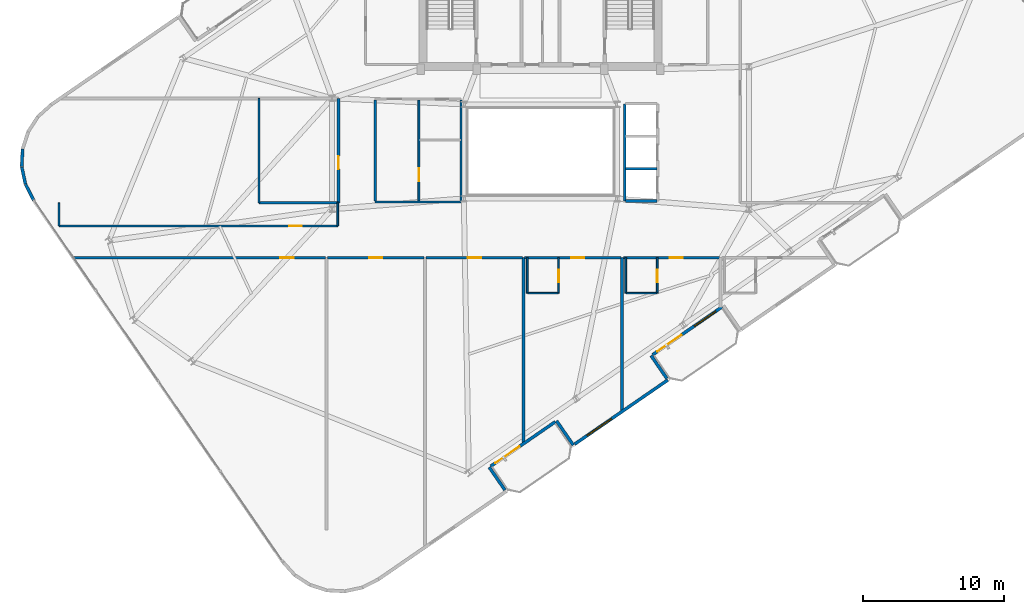
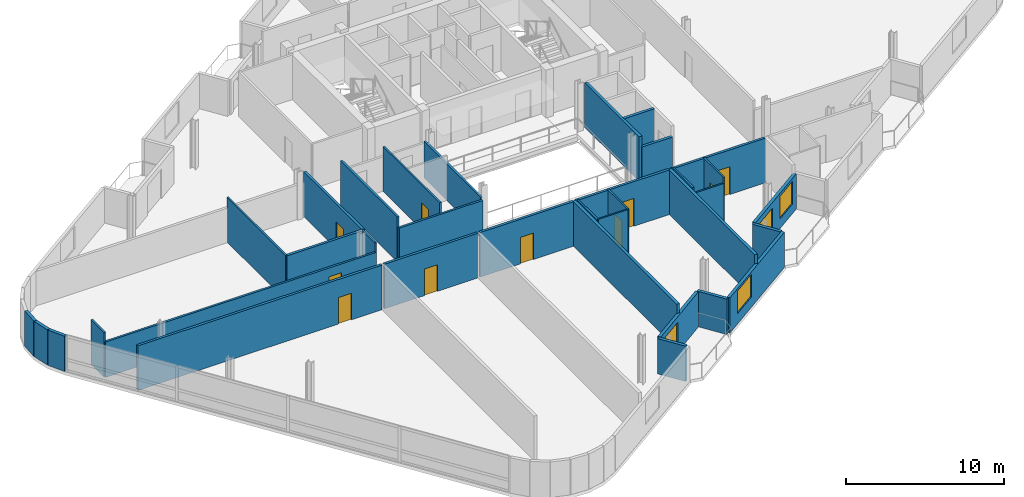
# One storey, part 14 of 21: 35 walls, 12 doors, 2 windows, 14 openings.
"""IFC4 building model written with IfcOpenShell, lengths in metres."""

from ifc_helpers import new_model, si_unit, direction, frame, frame_2d, origin, place, context, subcontext, project, spatial, rectangle, extrude, material, layer, layer_set, type_object, element, fill, save


model = new_model("IFC4")

# Units and contexts
model_context = context("Model", 3, precision=1e-05, world=origin(), true_north=direction((0.0, 1.0)))
body_context = subcontext(model_context, "Body", "Model", "MODEL_VIEW")
ifc_project = project(units=[si_unit("LENGTHUNIT", "METRE"), si_unit("AREAUNIT", "SQUARE_METRE"), si_unit("VOLUMEUNIT", "CUBIC_METRE"), si_unit("PLANEANGLEUNIT", "RADIAN"), si_unit("MASSUNIT", "GRAM", prefix="KILO")], contexts=[model_context])

# Site, building, storey
site_placement = place(None, origin())
site = spatial("IfcSite", under=ifc_project, at=site_placement, CompositionType="ELEMENT")
building_placement = place(site_placement, origin())
building = spatial("IfcBuilding", under=site, at=building_placement, Name="Varnelok Gate Tower", CompositionType="ELEMENT")
storey_placement = place(building_placement, frame((0.0, 0.0, 261.89990234375)))
storey = spatial("IfcBuildingStorey", under=building, at=storey_placement, Name="L67", CompositionType="ELEMENT", Elevation=261.89990234375)

# Wall, opening, door
ifc_material_1 = material(Name="Concrete C45/55", Category="concrete")
ifc_layer_1 = layer(ifc_material_1, 0.219970703125)
ifc_layer_set_1 = layer_set([ifc_layer_1], Name="Concrete C45/55")
wall_type_1 = type_object("IfcWallType", Name="EW-BALC-220", PredefinedType="SOLIDWALL", material=ifc_layer_set_1)
wall_1_placement = place(storey_placement, frame((40.243896484375, 3.6884765625, 0.0), z_axis=(0.0, 0.0, 1.0), x_axis=(-0.823541290762, -0.567256328665, 0.0)))
wall_1 = element("IfcWall", 1, at=wall_1_placement, inside=storey, type_object=wall_type_1, Name="L67 South Terrace Envelope Wall 1", PredefinedType="SOLIDWALL", context=body_context, shape_type="SweptSolid", body=[
    extrude(rectangle(XDim=5.567138671875, YDim=0.219970703125, at=frame_2d((2.78369140625, 0.0))), origin(), (0.0, 0.0, 1.0), 2.72998046875),
])
opening_1_placement = place(wall_1_placement, frame((3.06689453125, 0.0, 0.0)))
opening_1 = element("IfcOpeningElement", 2, at=opening_1_placement, cuts=wall_1, Name="Opening BD-2", PredefinedType="OPENING", context=body_context, shape_type="SweptSolid", body=[
    extrude(rectangle(XDim=2.10009765625, YDim=2.300048828125, at=frame_2d((1.050048828125, 1.14990234375))), frame((0.0, 0.119873046875, 0.0), z_axis=(0.0, -1.0, 0.0), x_axis=(1.0, 0.0, 0.0)), (0.0, 0.0, 1.0), 0.239990234375),
])
ifc_material_2 = material(Name="Anodized Aluminum Alloy 6063-T6", Category="aluminium")
door_type_1 = type_object("IfcDoorType", Name="DR-EXT-SLID2100", OperationType="SLIDING_TO_LEFT", PredefinedType="DOOR", material=ifc_material_2)
door_1_placement = place(opening_1_placement, origin())
door_1 = element("IfcDoor", 3, at=door_1_placement, inside=storey, type_object=door_type_1, Name="L67 South Balcony Glazed Door 1", OperationType="SLIDING_TO_LEFT", OverallHeight=2.300048828125, OverallWidth=2.10009765625, PredefinedType="DOOR", context=body_context, shape_type="SweptSolid", body=[
    extrude(rectangle(XDim=2.10009765625, YDim=2.300048828125, at=frame_2d((1.050048828125, 1.14990234375))), frame((0.0, 0.02490234375, 0.0), z_axis=(0.0, -1.0, 0.0), x_axis=(1.0, 0.0, 0.0)), (0.0, 0.0, 1.0), 0.050048828125),
])
fill(opening_1, door_1)

# Wall, openings, door, window
wall_2_placement = place(storey_placement, frame((52.102783203125, 11.85693359375, 0.0), z_axis=(0.0, 0.0, 1.0), x_axis=(-0.823534636215, -0.567265989598, 0.0)))
wall_2 = element("IfcWall", 4, at=wall_2_placement, inside=storey, type_object=wall_type_1, Name="L67 South Terrace Envelope Wall 2", PredefinedType="SOLIDWALL", context=body_context, shape_type="SweptSolid", body=[
    extrude(rectangle(XDim=6.0, YDim=0.219970703125, at=frame_2d((3.0, 0.0))), origin(), (0.0, 0.0, 1.0), 2.72998046875),
])
opening_2_placement = place(wall_2_placement, frame((3.5, 0.0, 0.0)))
opening_2 = element("IfcOpeningElement", 5, at=opening_2_placement, cuts=wall_2, Name="Opening BD-2", PredefinedType="OPENING", context=body_context, shape_type="SweptSolid", body=[
    extrude(rectangle(XDim=2.10009765625, YDim=2.300048828125, at=frame_2d((1.050048828125, 1.14990234375))), frame((0.0, 0.119873046875, 0.0), z_axis=(0.0, -1.0, 0.0), x_axis=(1.0, 0.0, 0.0)), (0.0, 0.0, 1.0), 0.239990234375),
])
opening_3_placement = place(wall_2_placement, frame((0.550048828125, 0.0, 0.75)))
opening_3 = element("IfcOpeningElement", 6, at=opening_3_placement, cuts=wall_2, Name="Opening WN5", PredefinedType="OPENING", context=body_context, shape_type="SweptSolid", body=[
    extrude(rectangle(XDim=1.85009765625, YDim=1.75, at=frame_2d((0.925048828125, 0.875))), frame((0.0, 0.119873046875, 0.0), z_axis=(0.0, -1.0, 0.0), x_axis=(1.0, 0.0, 0.0)), (0.0, 0.0, 1.0), 0.239990234375),
])
door_2_placement = place(opening_2_placement, origin())
door_2 = element("IfcDoor", 7, at=door_2_placement, inside=storey, type_object=door_type_1, Name="L67 South Balcony Glazed Door 2", OperationType="SLIDING_TO_LEFT", OverallHeight=2.300048828125, OverallWidth=2.10009765625, PredefinedType="DOOR", context=body_context, shape_type="SweptSolid", body=[
    extrude(rectangle(XDim=2.10009765625, YDim=2.300048828125, at=frame_2d((1.050048828125, 1.14990234375))), frame((0.0, 0.02490234375, 0.0), z_axis=(0.0, -1.0, 0.0), x_axis=(1.0, 0.0, 0.0)), (0.0, 0.0, 1.0), 0.050048828125),
])
fill(opening_2, door_2)
ifc_material_3 = material(Name="Low-E Laminated Double Glazing IGU", Category="glass")
window_type_1 = type_object("IfcWindowType", Name="WN-RES-1850", PartitioningType="SINGLE_PANEL", PredefinedType="WINDOW", material=ifc_material_3)
window_1_placement = place(opening_3_placement, origin())
window_1 = element("IfcWindow", 8, at=window_1_placement, inside=storey, type_object=window_type_1, Name="L67 South Vision Window 2.1", OverallHeight=1.75, OverallWidth=1.85009765625, PartitioningType="SINGLE_PANEL", PredefinedType="WINDOW", context=body_context, shape_type="SweptSolid", body=[
    extrude(rectangle(XDim=1.85009765625, YDim=1.75, at=frame_2d((0.925048828125, 0.875))), frame((0.0, 0.030029296875, 0.0), z_axis=(0.0, -1.0, 0.0), x_axis=(1.0, 0.0, 0.0)), (0.0, 0.0, 1.0), 0.06005859375),
])
fill(opening_3, window_1)

# Walls
wall_3_placement = place(storey_placement, frame((36.675048828125, -1.156005859375, 0.0), z_axis=(0.0, 0.0, 1.0), x_axis=(-0.567215821234, 0.823569190865, 0.0)))
element("IfcWall", 9, at=wall_3_placement, inside=storey, type_object=wall_type_1, Name="L67 Perimeter Facade Closure Wall 8", PredefinedType="SOLIDWALL", context=body_context, shape_type="SweptSolid", body=[
    extrude(rectangle(XDim=1.97509765625, YDim=0.219970703125, at=frame_2d((0.987548828125, 0.0))), origin(), (0.0, 0.0, 1.0), 2.72998046875),
])
wall_4_placement = place(storey_placement, frame((40.3369140625, 3.7646484375, 0.0), z_axis=(0.0, 0.0, 1.0), x_axis=(0.567352541689, -0.823475010816, 0.0)))
element("IfcWall", 10, at=wall_4_placement, inside=storey, type_object=wall_type_1, Name="L67 Perimeter Facade Closure Wall 9", PredefinedType="SOLIDWALL", context=body_context, shape_type="SweptSolid", body=[
    extrude(rectangle(XDim=2.099853515625, YDim=0.219970703125, at=frame_2d((1.0498046875, 0.0))), origin(), (0.0, 0.0, 1.0), 2.72998046875),
])

# Wall, opening, window
wall_5_placement = place(storey_placement, frame((41.631103515625, 2.106201171875, 0.0), z_axis=(0.0, 0.0, 1.0), x_axis=(0.823530942962, 0.56727135128, 0.0)))
wall_5 = element("IfcWall", 11, at=wall_5_placement, inside=storey, type_object=wall_type_1, Name="L67 Perimeter Facade Closure Wall 10", PredefinedType="SOLIDWALL", context=body_context, shape_type="SweptSolid", body=[
    extrude(rectangle(XDim=8.03515625, YDim=0.219970703125, at=frame_2d((4.017578125, 0.0))), origin(), (0.0, 0.0, 1.0), 2.72998046875),
])
opening_4_placement = place(wall_5_placement, frame((1.068359375, 0.0, 0.800048828125)))
opening_4 = element("IfcOpeningElement", 12, at=opening_4_placement, cuts=wall_5, Name="Opening WN4", PredefinedType="OPENING", context=body_context, shape_type="SweptSolid", body=[
    extrude(rectangle(XDim=2.10009765625, YDim=1.75, at=frame_2d((1.050048828125, 0.875))), frame((0.0, 0.119873046875, 0.0), z_axis=(0.0, -1.0, 0.0), x_axis=(1.0, 0.0, 0.0)), (0.0, 0.0, 1.0), 0.239990234375),
])
window_type_2 = type_object("IfcWindowType", Name="WN-SUI-2100", PartitioningType="SINGLE_PANEL", PredefinedType="WINDOW", material=ifc_material_3)
window_2_placement = place(opening_4_placement, origin())
window_2 = element("IfcWindow", 13, at=window_2_placement, inside=storey, type_object=window_type_2, Name="L67 Perimeter Vision Window 10", OverallHeight=1.75, OverallWidth=2.10009765625, PartitioningType="SINGLE_PANEL", PredefinedType="WINDOW", context=body_context, shape_type="SweptSolid", body=[
    extrude(rectangle(XDim=2.10009765625, YDim=1.75, at=frame_2d((1.050048828125, 0.875))), frame((0.0, 0.030029296875, 0.0), z_axis=(0.0, -1.0, 0.0), x_axis=(1.0, 0.0, 0.0)), (0.0, 0.0, 1.0), 0.06005859375),
])
fill(opening_4, window_2)

# Walls
wall_6_placement = place(storey_placement, frame((48.17724609375, 6.76708984375, 0.0), z_axis=(0.0, 0.0, 1.0), x_axis=(-0.567273565974, 0.823529417415, 0.0)))
element("IfcWall", 14, at=wall_6_placement, inside=storey, type_object=wall_type_1, Name="L67 Perimeter Facade Closure Wall 11", PredefinedType="SOLIDWALL", context=body_context, shape_type="SweptSolid", body=[
    extrude(rectangle(XDim=1.97509765625, YDim=0.219970703125, at=frame_2d((0.987548828125, 0.0))), origin(), (0.0, 0.0, 1.0), 2.72998046875),
])
wall_7_placement = place(storey_placement, frame((2.409912109375, 23.06591796875, 0.0), z_axis=(0.0, 0.0, 1.0), x_axis=(-0.051234756022, -0.998686637427, 0.0)))
element("IfcWall", 15, at=wall_7_placement, inside=storey, type_object=wall_type_1, Name="L67 Perimeter Facade Closure Wall 42", PredefinedType="SOLIDWALL", context=body_context, shape_type="SweptSolid", body=[
    extrude(rectangle(XDim=1.24853515625, YDim=0.219970703125, at=frame_2d((0.624267578125, 0.0))), origin(), (0.0, 0.0, 1.0), 2.72998046875),
])
for number, where, z_axis, x_axis, name in (
    (16, (2.35107421875, 21.794677734375, 0.0), (0.0, 0.0, 1.0), (0.208994994656, -0.977916710262, 0.0), "L67 Perimeter Facade Closure Wall 43"),
    (17, (2.623291015625, 20.55126953125, 0.0), (0.0, 0.0, 1.0), (0.454938817534, -0.890522696118, 0.0), "L67 Perimeter Facade Closure Wall 44"),
):
    element("IfcWall", number, at=place(storey_placement, frame(where, z_axis=z_axis, x_axis=x_axis)), inside=storey, type_object=wall_type_1, Name=name, PredefinedType="SOLIDWALL", context=body_context, shape_type="SweptSolid", body=[
        extrude(rectangle(XDim=1.248779296875, YDim=0.219970703125, at=frame_2d((0.62451171875, 0.0))), origin(), (0.0, 0.0, 1.0), 2.72998046875),
    ])

# Wall, opening, door
ifc_material_4 = material(Name="Gypsum Plasterboard Acoustic Partition", Category="gypsum")
ifc_layer_2 = layer(ifc_material_4, 0.179931640625)
ifc_layer_set_2 = layer_set([ifc_layer_2], Name="Gypsum Plasterboard Acoustic Partition")
wall_type_2 = type_object("IfcWallType", Name="PW-CORR-180", PredefinedType="PARTITIONING", material=ifc_layer_set_2)
wall_8_placement = place(storey_placement, frame((6.071044921875, 15.35009765625, 0.0), z_axis=(0.0, 0.0, 1.0), x_axis=(1.0, 0.0, 0.0)))
wall_8 = element("IfcWall", 18, at=wall_8_placement, inside=storey, type_object=wall_type_2, Name="Interior Partition", PredefinedType="PARTITIONING", context=body_context, shape_type="SweptSolid", body=[
    extrude(rectangle(XDim=17.848876953125, YDim=0.179931640625, at=frame_2d((8.92431640625, 0.0))), origin(), (0.0, 0.0, 1.0), 3.4501953125),
])
opening_5_placement = place(wall_8_placement, frame((14.65380859375, 0.0, 0.0)))
opening_5 = element("IfcOpeningElement", 19, at=opening_5_placement, cuts=wall_8, Name="Opening D-I2", PredefinedType="OPENING", context=body_context, shape_type="SweptSolid", body=[
    extrude(rectangle(XDim=0.949951171875, YDim=2.050048828125, at=frame_2d((0.47509765625, 1.02490234375))), frame((0.0, 0.099853515625, 0.0), z_axis=(0.0, -1.0, 0.0), x_axis=(1.0, 0.0, 0.0)), (0.0, 0.0, 1.0), 0.199951171875),
])
ifc_material_5 = material(Name="Engineered Hardwood Timber", Category="wood")
door_type_2 = type_object("IfcDoorType", Name="DR-INT-950", OperationType="NOTDEFINED", PredefinedType="DOOR", material=ifc_material_5)
door_3_placement = place(opening_5_placement, origin())
door_3 = element("IfcDoor", 20, at=door_3_placement, inside=storey, type_object=door_type_2, Name="L67 Sky Fine-Dining Restaurant Door", OperationType="SINGLE_SWING_LEFT", OverallHeight=2.050048828125, OverallWidth=0.949951171875, PredefinedType="DOOR", context=body_context, shape_type="SweptSolid", body=[
    extrude(rectangle(XDim=0.949951171875, YDim=2.050048828125, at=frame_2d((0.47509765625, 1.02490234375))), frame((0.0, 0.02490234375, 0.0), z_axis=(0.0, -1.0, 0.0), x_axis=(1.0, 0.0, 0.0)), (0.0, 0.0, 1.0), 0.050048828125),
])
fill(opening_5, door_3)

wall_9_placement = place(storey_placement, frame((24.080078125, 15.35009765625, 0.0), z_axis=(0.0, 0.0, 1.0), x_axis=(1.0, 0.0, 0.0)))
wall_9 = element("IfcWall", 21, at=wall_9_placement, inside=storey, type_object=wall_type_2, Name="Interior Partition", PredefinedType="PARTITIONING", context=body_context, shape_type="SweptSolid", body=[
    extrude(rectangle(XDim=6.83984375, YDim=0.179931640625, at=frame_2d((3.419921875, 0.0))), origin(), (0.0, 0.0, 1.0), 3.4501953125),
])
opening_6_placement = place(wall_9_placement, frame((2.945068359375, 0.0, 0.0)))
opening_6 = element("IfcOpeningElement", 22, at=opening_6_placement, cuts=wall_9, Name="Opening D-I2", PredefinedType="OPENING", context=body_context, shape_type="SweptSolid", body=[
    extrude(rectangle(XDim=0.949951171875, YDim=2.050048828125, at=frame_2d((0.47509765625, 1.02490234375))), frame((0.0, 0.099853515625, 0.0), z_axis=(0.0, -1.0, 0.0), x_axis=(1.0, 0.0, 0.0)), (0.0, 0.0, 1.0), 0.199951171875),
])
door_4_placement = place(opening_6_placement, origin())
door_4 = element("IfcDoor", 23, at=door_4_placement, inside=storey, type_object=door_type_2, Name="L67 Sommelier Tasting Cellar Door", OperationType="SINGLE_SWING_LEFT", OverallHeight=2.050048828125, OverallWidth=0.949951171875, PredefinedType="DOOR", context=body_context, shape_type="SweptSolid", body=[
    extrude(rectangle(XDim=0.949951171875, YDim=2.050048828125, at=frame_2d((0.47509765625, 1.02490234375))), frame((0.0, 0.02490234375, 0.0), z_axis=(0.0, -1.0, 0.0), x_axis=(1.0, 0.0, 0.0)), (0.0, 0.0, 1.0), 0.050048828125),
])
fill(opening_6, door_4)

wall_10_placement = place(storey_placement, frame((31.080078125, 15.35009765625, 0.0), z_axis=(0.0, 0.0, 1.0), x_axis=(1.0, 0.0, 0.0)))
wall_10 = element("IfcWall", 24, at=wall_10_placement, inside=storey, type_object=wall_type_2, Name="Interior Partition", PredefinedType="PARTITIONING", context=body_context, shape_type="SweptSolid", body=[
    extrude(rectangle(XDim=6.83984375, YDim=0.179931640625, at=frame_2d((3.419921875, 0.0))), origin(), (0.0, 0.0, 1.0), 3.4501953125),
])
opening_7_placement = place(wall_10_placement, frame((2.945068359375, 0.0, 0.0)))
opening_7 = element("IfcOpeningElement", 25, at=opening_7_placement, cuts=wall_10, Name="Opening D-I2", PredefinedType="OPENING", context=body_context, shape_type="SweptSolid", body=[
    extrude(rectangle(XDim=0.949951171875, YDim=2.050048828125, at=frame_2d((0.47509765625, 1.02490234375))), frame((0.0, 0.099853515625, 0.0), z_axis=(0.0, -1.0, 0.0), x_axis=(1.0, 0.0, 0.0)), (0.0, 0.0, 1.0), 0.199951171875),
])
door_5_placement = place(opening_7_placement, origin())
door_5 = element("IfcDoor", 26, at=door_5_placement, inside=storey, type_object=door_type_2, Name="L67 Constructivist Architecture Exhibition Gallery Door", OperationType="SINGLE_SWING_LEFT", OverallHeight=2.050048828125, OverallWidth=0.949951171875, PredefinedType="DOOR", context=body_context, shape_type="SweptSolid", body=[
    extrude(rectangle(XDim=0.949951171875, YDim=2.050048828125, at=frame_2d((0.47509765625, 1.02490234375))), frame((0.0, 0.02490234375, 0.0), z_axis=(0.0, -1.0, 0.0), x_axis=(1.0, 0.0, 0.0)), (0.0, 0.0, 1.0), 0.050048828125),
])
fill(opening_7, door_5)

wall_11_placement = place(storey_placement, frame((38.080078125, 15.35009765625, 0.0), z_axis=(0.0, 0.0, 1.0), x_axis=(1.0, 0.0, 0.0)))
wall_11 = element("IfcWall", 27, at=wall_11_placement, inside=storey, type_object=wall_type_2, Name="Interior Partition", PredefinedType="PARTITIONING", context=body_context, shape_type="SweptSolid", body=[
    extrude(rectangle(XDim=6.83984375, YDim=0.179931640625, at=frame_2d((3.419921875, 0.0))), origin(), (0.0, 0.0, 1.0), 3.4501953125),
])
opening_8_placement = place(wall_11_placement, frame((3.2900390625, 0.0, 0.0)))
opening_8 = element("IfcOpeningElement", 28, at=opening_8_placement, cuts=wall_11, Name="Opening D-HT", PredefinedType="OPENING", context=body_context, shape_type="SweptSolid", body=[
    extrude(rectangle(XDim=0.949951171875, YDim=2.14990234375, at=frame_2d((0.47509765625, 1.074951171875))), frame((0.0, 0.099853515625, 0.0), z_axis=(0.0, -1.0, 0.0), x_axis=(1.0, 0.0, 0.0)), (0.0, 0.0, 1.0), 0.199951171875),
])
door_type_3 = type_object("IfcDoorType", Name="DR-HTL-950", OperationType="NOTDEFINED", PredefinedType="DOOR", material=ifc_material_5)
door_6_placement = place(opening_8_placement, origin())
door_6 = element("IfcDoor", 29, at=door_6_placement, inside=storey, type_object=door_type_3, Name="L67 Guest Room 04 Entrance Door", OperationType="SINGLE_SWING_LEFT", OverallHeight=2.14990234375, OverallWidth=0.949951171875, PredefinedType="DOOR", context=body_context, shape_type="SweptSolid", body=[
    extrude(rectangle(XDim=0.949951171875, YDim=2.14990234375, at=frame_2d((0.47509765625, 1.074951171875))), frame((0.0, 0.02490234375, 0.0), z_axis=(0.0, -1.0, 0.0), x_axis=(1.0, 0.0, 0.0)), (0.0, 0.0, 1.0), 0.050048828125),
])
fill(opening_8, door_6)

wall_12_placement = place(storey_placement, frame((45.080078125, 15.35009765625, 0.0), z_axis=(0.0, 0.0, 1.0), x_axis=(1.0, 0.0, 0.0)))
wall_12 = element("IfcWall", 30, at=wall_12_placement, inside=storey, type_object=wall_type_2, Name="Interior Partition", PredefinedType="PARTITIONING", context=body_context, shape_type="SweptSolid", body=[
    extrude(rectangle(XDim=6.83984375, YDim=0.179931640625, at=frame_2d((3.419921875, 0.0))), origin(), (0.0, 0.0, 1.0), 3.4501953125),
])
opening_9_placement = place(wall_12_placement, frame((3.2900390625, 0.0, 0.0)))
opening_9 = element("IfcOpeningElement", 31, at=opening_9_placement, cuts=wall_12, Name="Opening D-HT", PredefinedType="OPENING", context=body_context, shape_type="SweptSolid", body=[
    extrude(rectangle(XDim=0.949951171875, YDim=2.14990234375, at=frame_2d((0.47509765625, 1.074951171875))), frame((0.0, 0.099853515625, 0.0), z_axis=(0.0, -1.0, 0.0), x_axis=(1.0, 0.0, 0.0)), (0.0, 0.0, 1.0), 0.199951171875),
])
door_7_placement = place(opening_9_placement, origin())
door_7 = element("IfcDoor", 32, at=door_7_placement, inside=storey, type_object=door_type_3, Name="L67 Guest Room 05 Entrance Door", OperationType="SINGLE_SWING_RIGHT", OverallHeight=2.14990234375, OverallWidth=0.949951171875, PredefinedType="DOOR", context=body_context, shape_type="SweptSolid", body=[
    extrude(rectangle(XDim=0.949951171875, YDim=2.14990234375, at=frame_2d((0.47509765625, 1.074951171875))), frame((0.0, 0.02490234375, 0.0), z_axis=(0.0, -1.0, 0.0), x_axis=(1.0, 0.0, 0.0)), (0.0, 0.0, 1.0), 0.050048828125),
])
fill(opening_9, door_7)

wall_13_placement = place(storey_placement, frame((24.85009765625, 19.239990234375, 0.0), z_axis=(0.0, 0.0, 1.0), x_axis=(0.0, 1.0, 0.0)))
wall_13 = element("IfcWall", 33, at=wall_13_placement, inside=storey, type_object=wall_type_2, Name="Interior Partition", PredefinedType="PARTITIONING", context=body_context, shape_type="SweptSolid", body=[
    extrude(rectangle(XDim=7.419921875, YDim=0.179931640625, at=frame_2d((3.7099609375, 0.0))), origin(), (0.0, 0.0, 1.0), 3.4501953125),
])
opening_10_placement = place(wall_13_placement, frame((2.39990234375, 0.0, 0.0)))
opening_10 = element("IfcOpeningElement", 34, at=opening_10_placement, cuts=wall_13, Name="Opening D-I3", PredefinedType="OPENING", context=body_context, shape_type="SweptSolid", body=[
    extrude(rectangle(XDim=0.919921875, YDim=2.050048828125, at=frame_2d((0.4599609375, 1.02490234375))), frame((0.0, 0.099853515625, 0.0), z_axis=(0.0, -1.0, 0.0), x_axis=(1.0, 0.0, 0.0)), (0.0, 0.0, 1.0), 0.199951171875),
])
door_type_4 = type_object("IfcDoorType", Name="DR-INT-920", OperationType="NOTDEFINED", PredefinedType="DOOR", material=ifc_material_5)
door_8_placement = place(opening_10_placement, origin())
door_8 = element("IfcDoor", 35, at=door_8_placement, inside=storey, type_object=door_type_4, Name="L67 West Playroom Door", OperationType="SINGLE_SWING_LEFT", OverallHeight=2.050048828125, OverallWidth=0.919921875, PredefinedType="DOOR", context=body_context, shape_type="SweptSolid", body=[
    extrude(rectangle(XDim=0.919921875, YDim=2.050048828125, at=frame_2d((0.4599609375, 1.02490234375))), frame((0.0, 0.02490234375, 0.0), z_axis=(0.0, -1.0, 0.0), x_axis=(1.0, 0.0, 0.0)), (0.0, 0.0, 1.0), 0.050048828125),
])
fill(opening_10, door_8)

# Walls
wall_14_placement = place(storey_placement, frame((19.199951171875, 19.239990234375, 0.0), z_axis=(0.0, 0.0, 1.0), x_axis=(1.0, 0.0, 0.0)))
element("IfcWall", 36, at=wall_14_placement, inside=storey, type_object=wall_type_2, Name="Interior Partition", PredefinedType="PARTITIONING", context=body_context, shape_type="SweptSolid", body=[
    extrude(rectangle(XDim=5.650146484375, YDim=0.179931640625, at=frame_2d((2.8251953125, 0.0))), origin(), (0.0, 0.0, 1.0), 3.4501953125),
])
ifc_layer_3 = layer(ifc_material_4, 0.114990234375)
ifc_layer_set_3 = layer_set([ifc_layer_3], Name="Gypsum Plasterboard Acoustic Partition")
wall_type_3 = type_object("IfcWallType", Name="PW-ENS-125", PredefinedType="PARTITIONING", material=ifc_layer_set_3)
wall_15_placement = place(storey_placement, frame((38.300048828125, 12.830078125, 0.0), z_axis=(0.0, 0.0, 1.0), x_axis=(1.0, 0.0, 0.0)))
element("IfcWall", 37, at=wall_15_placement, inside=storey, type_object=wall_type_3, Name="Interior Partition", PredefinedType="PARTITIONING", context=body_context, shape_type="SweptSolid", body=[
    extrude(rectangle(XDim=2.14990234375, YDim=0.114990234375, at=frame_2d((1.074951171875, 0.0))), origin(), (0.0, 0.0, 1.0), 3.4501953125),
])

# Wall, opening, door
wall_16_placement = place(storey_placement, frame((40.489990234375, 12.830078125, 0.0), z_axis=(0.0, 0.0, 1.0), x_axis=(0.0, 1.0, 0.0)))
wall_16 = element("IfcWall", 38, at=wall_16_placement, inside=storey, type_object=wall_type_3, Name="Interior Partition", PredefinedType="PARTITIONING", context=body_context, shape_type="SweptSolid", body=[
    extrude(rectangle(XDim=2.52001953125, YDim=0.114990234375, at=frame_2d((1.260009765625, 0.0))), origin(), (0.0, 0.0, 1.0), 3.4501953125),
])
opening_11_placement = place(wall_16_placement, frame((0.760009765625, 0.0, 0.0)))
opening_11 = element("IfcOpeningElement", 39, at=opening_11_placement, cuts=wall_16, Name="Opening D-WC", PredefinedType="OPENING", context=body_context, shape_type="SweptSolid", body=[
    extrude(rectangle(XDim=0.89990234375, YDim=2.050048828125, at=frame_2d((0.449951171875, 1.02490234375))), frame((0.0, 0.0673828125, 0.0), z_axis=(0.0, -1.0, 0.0), x_axis=(1.0, 0.0, 0.0)), (0.0, 0.0, 1.0), 0.135009765625),
])
door_type_5 = type_object("IfcDoorType", Name="DR-BATH-900", OperationType="NOTDEFINED", PredefinedType="DOOR", material=ifc_material_5)
door_9_placement = place(opening_11_placement, origin())
door_9 = element("IfcDoor", 40, at=door_9_placement, inside=storey, type_object=door_type_5, Name="L67 Guest En-Suite 04 Door", OperationType="SINGLE_SWING_LEFT", OverallHeight=2.050048828125, OverallWidth=0.89990234375, PredefinedType="DOOR", context=body_context, shape_type="SweptSolid", body=[
    extrude(rectangle(XDim=0.89990234375, YDim=2.050048828125, at=frame_2d((0.449951171875, 1.02490234375))), frame((0.0, 0.02490234375, 0.0), z_axis=(0.0, -1.0, 0.0), x_axis=(1.0, 0.0, 0.0)), (0.0, 0.0, 1.0), 0.050048828125),
])
fill(opening_11, door_9)

# Walls
wall_17_placement = place(storey_placement, frame((38.260009765625, 12.830078125, 0.0), z_axis=(0.0, 0.0, 1.0), x_axis=(0.0, 1.0, 0.0)))
element("IfcWall", 41, at=wall_17_placement, inside=storey, type_object=wall_type_3, Name="Interior Partition", PredefinedType="PARTITIONING", context=body_context, shape_type="SweptSolid", body=[
    extrude(rectangle(XDim=2.52001953125, YDim=0.114990234375, at=frame_2d((1.260009765625, 0.0))), origin(), (0.0, 0.0, 1.0), 3.4501953125),
])
wall_18_placement = place(storey_placement, frame((45.300048828125, 12.830078125, 0.0), z_axis=(0.0, 0.0, 1.0), x_axis=(1.0, 0.0, 0.0)))
element("IfcWall", 42, at=wall_18_placement, inside=storey, type_object=wall_type_3, Name="Interior Partition", PredefinedType="PARTITIONING", context=body_context, shape_type="SweptSolid", body=[
    extrude(rectangle(XDim=2.14990234375, YDim=0.114990234375, at=frame_2d((1.074951171875, 0.0))), origin(), (0.0, 0.0, 1.0), 3.01806640625),
])

# Wall, opening, door
wall_19_placement = place(storey_placement, frame((47.489990234375, 12.830078125, 0.0), z_axis=(0.0, 0.0, 1.0), x_axis=(0.0, 1.0, 0.0)))
wall_19 = element("IfcWall", 43, at=wall_19_placement, inside=storey, type_object=wall_type_3, Name="Interior Partition", PredefinedType="PARTITIONING", context=body_context, shape_type="SweptSolid", body=[
    extrude(rectangle(XDim=2.52001953125, YDim=0.114990234375, at=frame_2d((1.260009765625, 0.0))), origin(), (0.0, 0.0, 1.0), 3.4501953125),
])
opening_12_placement = place(wall_19_placement, frame((0.760009765625, 0.0, 0.0)))
opening_12 = element("IfcOpeningElement", 44, at=opening_12_placement, cuts=wall_19, Name="Opening D-WC", PredefinedType="OPENING", context=body_context, shape_type="SweptSolid", body=[
    extrude(rectangle(XDim=0.89990234375, YDim=2.050048828125, at=frame_2d((0.449951171875, 1.02490234375))), frame((0.0, 0.0673828125, 0.0), z_axis=(0.0, -1.0, 0.0), x_axis=(1.0, 0.0, 0.0)), (0.0, 0.0, 1.0), 0.135009765625),
])
door_10_placement = place(opening_12_placement, origin())
door_10 = element("IfcDoor", 45, at=door_10_placement, inside=storey, type_object=door_type_5, Name="L67 Guest En-Suite 05 Door", OperationType="SINGLE_SWING_LEFT", OverallHeight=2.050048828125, OverallWidth=0.89990234375, PredefinedType="DOOR", context=body_context, shape_type="SweptSolid", body=[
    extrude(rectangle(XDim=0.89990234375, YDim=2.050048828125, at=frame_2d((0.449951171875, 1.02490234375))), frame((0.0, 0.02490234375, 0.0), z_axis=(0.0, -1.0, 0.0), x_axis=(1.0, 0.0, 0.0)), (0.0, 0.0, 1.0), 0.050048828125),
])
fill(opening_12, door_10)

# Walls
wall_20_placement = place(storey_placement, frame((45.260009765625, 12.830078125, 0.0), z_axis=(0.0, 0.0, 1.0), x_axis=(0.0, 1.0, 0.0)))
element("IfcWall", 46, at=wall_20_placement, inside=storey, type_object=wall_type_3, Name="Interior Partition", PredefinedType="PARTITIONING", context=body_context, shape_type="SweptSolid", body=[
    extrude(rectangle(XDim=2.52001953125, YDim=0.114990234375, at=frame_2d((1.260009765625, 0.0))), origin(), (0.0, 0.0, 1.0), 3.4501953125),
])
ifc_layer_4 = layer(ifc_material_4, 0.125)
ifc_layer_set_4 = layer_set([ifc_layer_4], Name="Gypsum Plasterboard Acoustic Partition")
wall_type_4 = type_object("IfcWallType", Name="PW-PART-125", PredefinedType="PARTITIONING", material=ifc_layer_set_4)
for number, where, z_axis, x_axis, name in (
    (47, (5.0, 17.610107421875, 0.0), (0.0, 0.0, 1.0), (0.0, 1.0, 0.0), "Interior Partition"),
    (48, (24.800048828125, 17.610107421875, 0.0), (0.0, 0.0, 1.0), (0.0, 1.0, 0.0), "Interior Partition"),
):
    element("IfcWall", number, at=place(storey_placement, frame(where, z_axis=z_axis, x_axis=x_axis)), inside=storey, type_object=wall_type_4, Name=name, PredefinedType="PARTITIONING", context=body_context, shape_type="SweptSolid", body=[
        extrude(rectangle(XDim=1.6298828125, YDim=0.125, at=frame_2d((0.81494140625, 0.0))), origin(), (0.0, 0.0, 1.0), 3.4501953125),
    ])
wall_21_placement = place(storey_placement, frame((19.199951171875, 19.239990234375, 0.0), z_axis=(0.0, 0.0, 1.0), x_axis=(0.0, 1.0, 0.0)))
element("IfcWall", 49, at=wall_21_placement, inside=storey, type_object=wall_type_4, Name="Interior Partition", PredefinedType="PARTITIONING", context=body_context, shape_type="SweptSolid", body=[
    extrude(rectangle(XDim=7.419921875, YDim=0.125, at=frame_2d((3.7099609375, 0.0))), origin(), (0.0, 0.0, 1.0), 3.4501953125),
])

# Wall, opening, door
wall_22_placement = place(storey_placement, frame((30.56005859375, 19.3798828125, 0.0), z_axis=(0.0, 0.0, 1.0), x_axis=(0.0, 1.0, 0.0)))
wall_22 = element("IfcWall", 50, at=wall_22_placement, inside=storey, type_object=wall_type_4, Name="Interior Partition", PredefinedType="PARTITIONING", context=body_context, shape_type="SweptSolid", body=[
    extrude(rectangle(XDim=7.16015625, YDim=0.125, at=frame_2d((3.580078125, 0.0))), origin(), (0.0, 0.0, 1.0), 3.4501953125),
])
opening_13_placement = place(wall_22_placement, frame((1.39990234375, 0.0, 0.0)))
opening_13 = element("IfcOpeningElement", 51, at=opening_13_placement, cuts=wall_22, Name="Opening D-I3", PredefinedType="OPENING", context=body_context, shape_type="SweptSolid", body=[
    extrude(rectangle(XDim=0.919921875, YDim=2.050048828125, at=frame_2d((0.4599609375, 1.02490234375))), frame((0.0, 0.072509765625, 0.0), z_axis=(0.0, -1.0, 0.0), x_axis=(1.0, 0.0, 0.0)), (0.0, 0.0, 1.0), 0.14501953125),
])
door_11_placement = place(opening_13_placement, origin())
door_11 = element("IfcDoor", 52, at=door_11_placement, inside=storey, type_object=door_type_4, Name="L67 Floor Linen Store Door", OperationType="SINGLE_SWING_RIGHT", OverallHeight=2.050048828125, OverallWidth=0.919921875, PredefinedType="DOOR", context=body_context, shape_type="SweptSolid", body=[
    extrude(rectangle(XDim=0.919921875, YDim=2.050048828125, at=frame_2d((0.4599609375, 1.02490234375))), frame((0.0, 0.02490234375, 0.0), z_axis=(0.0, -1.0, 0.0), x_axis=(1.0, 0.0, 0.0)), (0.0, 0.0, 1.0), 0.050048828125),
])
fill(opening_13, door_11)

ifc_layer_5 = layer(ifc_material_4, 0.14990234375)
ifc_layer_set_5 = layer_set([ifc_layer_5], Name="Gypsum Plasterboard Acoustic Partition")
wall_type_5 = type_object("IfcWallType", Name="PW-PART-150", PredefinedType="PARTITIONING", material=ifc_layer_set_5)
wall_23_placement = place(storey_placement, frame((5.0, 17.610107421875, 0.0), z_axis=(0.0, 0.0, 1.0), x_axis=(1.0, 0.0, 0.0)))
wall_23 = element("IfcWall", 53, at=wall_23_placement, inside=storey, type_object=wall_type_5, Name="Interior Partition", PredefinedType="PARTITIONING", context=body_context, shape_type="SweptSolid", body=[
    extrude(rectangle(XDim=19.800048828125, YDim=0.14990234375, at=frame_2d((9.89990234375, 0.0))), origin(), (0.0, 0.0, 1.0), 2.739013671875),
])
opening_14_placement = place(wall_23_placement, frame((16.3349609375, 0.0, 0.0)))
opening_14 = element("IfcOpeningElement", 54, at=opening_14_placement, cuts=wall_23, Name="Opening D-I3", PredefinedType="OPENING", context=body_context, shape_type="SweptSolid", body=[
    extrude(rectangle(XDim=0.919921875, YDim=2.050048828125, at=frame_2d((0.4599609375, 1.02490234375))), frame((0.0, 0.0849609375, 0.0), z_axis=(0.0, -1.0, 0.0), x_axis=(1.0, 0.0, 0.0)), (0.0, 0.0, 1.0), 0.169921875),
])
door_12_placement = place(opening_14_placement, origin())
door_12 = element("IfcDoor", 55, at=door_12_placement, inside=storey, type_object=door_type_4, Name="L67 Atrium Room 1 Door", OperationType="SINGLE_SWING_LEFT", OverallHeight=2.050048828125, OverallWidth=0.919921875, PredefinedType="DOOR", context=body_context, shape_type="SweptSolid", body=[
    extrude(rectangle(XDim=0.919921875, YDim=2.050048828125, at=frame_2d((0.4599609375, 1.02490234375))), frame((0.0, 0.02490234375, 0.0), z_axis=(0.0, -1.0, 0.0), x_axis=(1.0, 0.0, 0.0)), (0.0, 0.0, 1.0), 0.050048828125),
])
fill(opening_14, door_12)

# Walls
wall_24_placement = place(storey_placement, frame((27.4599609375, 19.300048828125, 0.0), z_axis=(0.0, 0.0, 1.0), x_axis=(1.0, 0.0, 0.0)))
element("IfcWall", 56, at=wall_24_placement, inside=storey, type_object=wall_type_5, Name="Interior Partition", PredefinedType="PARTITIONING", context=body_context, shape_type="SweptSolid", body=[
    extrude(rectangle(XDim=6.10009765625, YDim=0.14990234375, at=frame_2d((3.050048828125, 0.0))), origin(), (0.0, 0.0, 1.0), 2.662109375),
])
wall_25_placement = place(storey_placement, frame((27.4599609375, 19.3798828125, 0.0), z_axis=(0.0, 0.0, 1.0), x_axis=(0.0, 1.0, 0.0)))
element("IfcWall", 57, at=wall_25_placement, inside=storey, type_object=wall_type_5, Name="Interior Partition", PredefinedType="PARTITIONING", context=body_context, shape_type="SweptSolid", body=[
    extrude(rectangle(XDim=7.16015625, YDim=0.14990234375, at=frame_2d((3.580078125, 0.0))), origin(), (0.0, 0.0, 1.0), 3.4501953125),
])
wall_26_placement = place(storey_placement, frame((33.56005859375, 19.3798828125, 0.0), z_axis=(0.0, 0.0, 1.0), x_axis=(0.0, 1.0, 0.0)))
element("IfcWall", 58, at=wall_26_placement, inside=storey, type_object=wall_type_5, Name="Interior Partition", PredefinedType="PARTITIONING", context=body_context, shape_type="SweptSolid", body=[
    extrude(rectangle(XDim=7.16015625, YDim=0.14990234375, at=frame_2d((3.580078125, 0.0))), origin(), (0.0, 0.0, 1.0), 2.82421875),
])
ifc_layer_6 = layer(ifc_material_4, 0.205078125)
ifc_layer_set_6 = layer_set([ifc_layer_6], Name="Gypsum Plasterboard Acoustic Partition")
wall_type_6 = type_object("IfcWallType", Name="PW-PARTY-200", PredefinedType="PARTITIONING", material=ifc_layer_set_6)
wall_27_placement = place(storey_placement, frame((38.0, 2.17919921875, 0.0), z_axis=(0.0, 0.0, 1.0), x_axis=(0.0, 1.0, 0.0)))
element("IfcWall", 59, at=wall_27_placement, inside=storey, type_object=wall_type_6, Name="L67 South Party Wall 3", PredefinedType="PARTITIONING", context=body_context, shape_type="SweptSolid", body=[
    extrude(rectangle(XDim=13.1708984375, YDim=0.205078125, at=frame_2d((6.58544921875, 0.0))), origin(), (0.0, 0.0, 1.0), 3.4501953125),
])
wall_28_placement = place(storey_placement, frame((45.0, 4.450927734375, 0.0), z_axis=(0.0, 0.0, 1.0), x_axis=(0.0, 1.0, 0.0)))
element("IfcWall", 60, at=wall_28_placement, inside=storey, type_object=wall_type_6, Name="L67 South Party Wall 4", PredefinedType="PARTITIONING", context=body_context, shape_type="SweptSolid", body=[
    extrude(rectangle(XDim=10.899169921875, YDim=0.205078125, at=frame_2d((5.44970703125, 0.0))), origin(), (0.0, 0.0, 1.0), 3.4501953125),
])
ifc_material_6 = material(Name="Concrete C35/45", Category="concrete")
ifc_layer_7 = layer(ifc_material_6, 0.199951171875)
ifc_layer_set_7 = layer_set([ifc_layer_7], Name="Concrete C35/45")
wall_type_7 = type_object("IfcWallType", Name="PW-SHAFT-200", PredefinedType="PARTITIONING", material=ifc_layer_set_7)
wall_29_placement = place(storey_placement, frame((45.239990234375, 21.675048828125, 0.0), z_axis=(0.0, 0.0, 1.0), x_axis=(1.0, 0.0, 0.0)))
element("IfcWall", 61, at=wall_29_placement, inside=storey, type_object=wall_type_7, Name="L67 PH1 Divider", PredefinedType="PARTITIONING", context=body_context, shape_type="SweptSolid", body=[
    extrude(rectangle(XDim=2.219970703125, YDim=0.199951171875, at=frame_2d((1.10986328125, 0.0))), origin(), (0.0, 0.0, 1.0), 3.4501953125),
])
wall_30_placement = place(storey_placement, frame((45.239990234375, 19.3798828125, 0.0), z_axis=(0.0, 0.0, 1.0), x_axis=(1.0, 0.0, 0.0)))
element("IfcWall", 62, at=wall_30_placement, inside=storey, type_object=wall_type_7, Name="L67 PH Bank South Wall", PredefinedType="PARTITIONING", context=body_context, shape_type="SweptSolid", body=[
    extrude(rectangle(XDim=2.219970703125, YDim=0.199951171875, at=frame_2d((1.10986328125, 0.0))), origin(), (0.0, 0.0, 1.0), 2.662109375),
])
wall_31_placement = place(storey_placement, frame((45.179931640625, 19.3798828125, 0.0), z_axis=(0.0, 0.0, 1.0), x_axis=(0.0, 1.0, 0.0)))
element("IfcWall", 63, at=wall_31_placement, inside=storey, type_object=wall_type_7, Name="L67 PH Bank Atrium Wall", PredefinedType="PARTITIONING", context=body_context, shape_type="SweptSolid", body=[
    extrude(rectangle(XDim=6.900146484375, YDim=0.199951171875, at=frame_2d((3.4501953125, 0.0))), origin(), (0.0, 0.0, 1.0), 3.4501953125),
])

save(model, "model.ifc")
